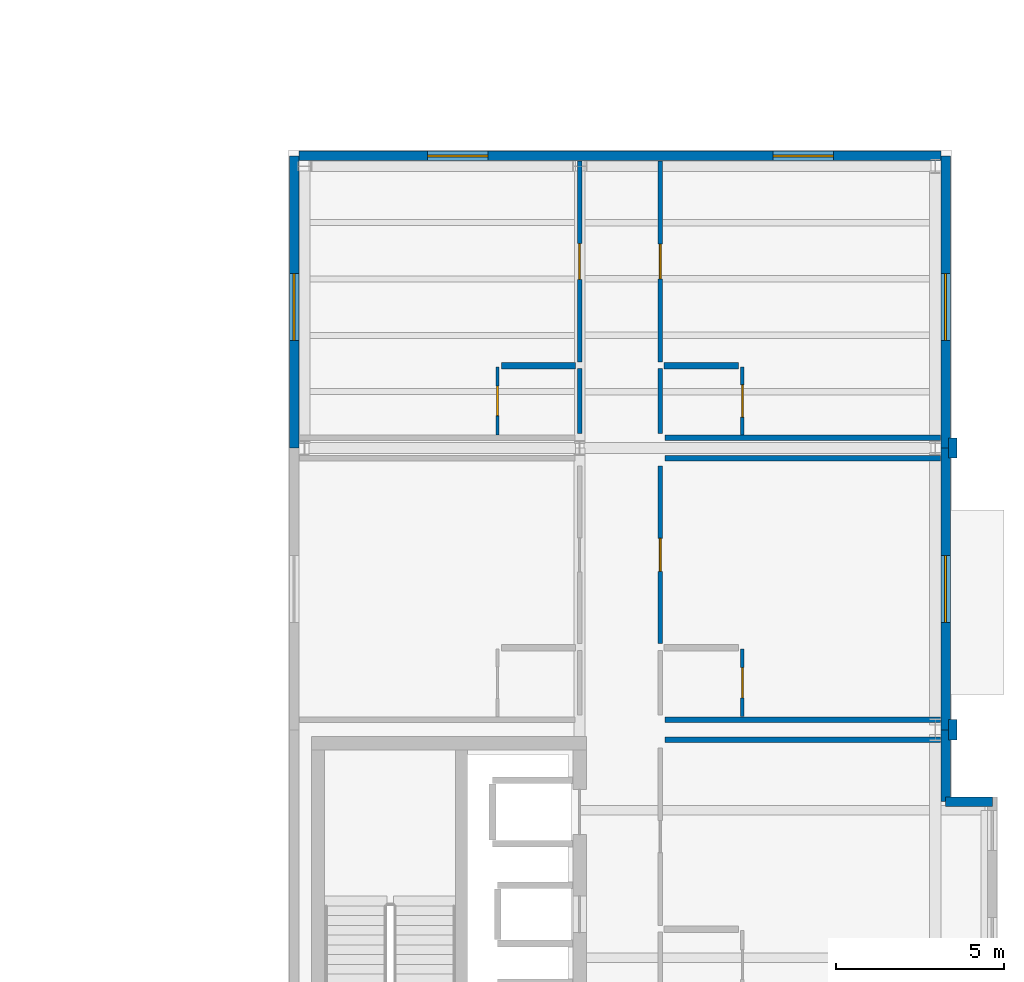
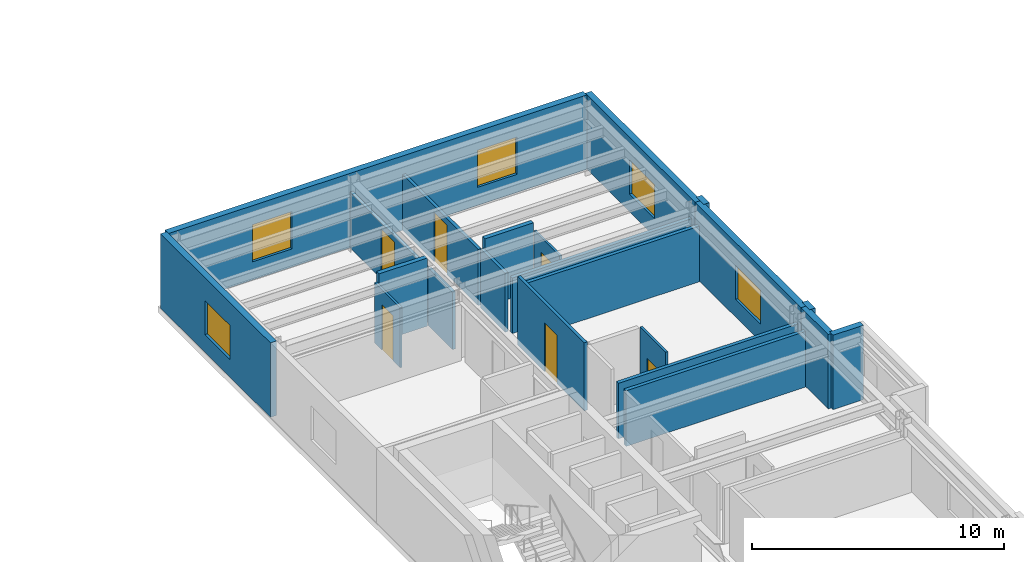
# One storey, part 26 of 34: 22 walls, 6 doors, 5 windows, 11 openings.
"""IFC4 building model written with IfcOpenShell, lengths in metres."""

from ifc_helpers import new_model, si_unit, direction, frame, frame_2d, origin, place, context, subcontext, project, spatial, rectangle, extrude, material, layer, layer_set, type_object, element, fill, save


model = new_model("IFC4")

# Units and contexts
model_context = context("Model", 3, precision=1e-05, world=origin(), true_north=direction((0.0, 1.0)))
body_context = subcontext(model_context, "Body", "Model", "MODEL_VIEW")
ifc_project = project(units=[si_unit("LENGTHUNIT", "METRE"), si_unit("AREAUNIT", "SQUARE_METRE"), si_unit("VOLUMEUNIT", "CUBIC_METRE"), si_unit("PLANEANGLEUNIT", "RADIAN"), si_unit("MASSUNIT", "GRAM", prefix="KILO")], contexts=[model_context])

# Site, building, storey
site_placement = place(None, origin())
site = spatial("IfcSite", under=ifc_project, at=site_placement, CompositionType="ELEMENT")
building_placement = place(site_placement, origin())
building = spatial("IfcBuilding", under=site, at=building_placement, Name="Sollismere Congress Hotel", CompositionType="ELEMENT")
storey_placement = place(building_placement, frame((0.0, 0.0, 23.39990234375)))
storey = spatial("IfcBuildingStorey", under=building, at=storey_placement, Name="L05", CompositionType="ELEMENT", Elevation=23.39990234375)

# Walls
ifc_material_1 = material(Name="Colorado Buff Sandstone Rainscreen on Insulated Backup", Category="masonry")
ifc_layer_1 = layer(ifc_material_1, 0.284912109375, Name="Colorado Buff Sandstone Rainscreen on Insulated Backup")
ifc_layer_set_1 = layer_set([ifc_layer_1], Name="Colorado Buff Sandstone Rainscreen on Insulated Backup")
wall_type_1 = type_object("IfcWallType", Name="WL-EXT285", PredefinedType="STANDARD", material=ifc_layer_set_1)
wall_1_placement = place(storey_placement, frame((166.31005859375, 47.860107421875, 0.0), z_axis=(0.0, 0.0, 1.0), x_axis=(0.0, 1.0, 0.0)))
element("IfcWall", 1, at=wall_1_placement, inside=storey, type_object=wall_type_1, Name="Exterior wall EW-L05-622", PredefinedType="STANDARD", context=body_context, shape_type="SweptSolid", body=[
    extrude(rectangle(XDim=2.139892578125, YDim=0.284912109375, at=frame_2d((1.06982421875, 0.0))), origin(), (0.0, 0.0, 1.0), 3.60009765625),
])
wall_2_placement = place(storey_placement, frame((167.699951171875, 47.860107421875, 0.0), z_axis=(0.0, 0.0, 1.0), x_axis=(-1.0, 0.0, 0.0)))
element("IfcWall", 2, at=wall_2_placement, inside=storey, type_object=wall_type_1, Name="Exterior wall EW-L05-625", PredefinedType="STANDARD", context=body_context, shape_type="SweptSolid", body=[
    extrude(rectangle(XDim=1.389892578125, YDim=0.284912109375, at=frame_2d((0.69482421875, 0.0))), origin(), (0.0, 0.0, 1.0), 3.60009765625),
])

# Wall, opening, window
wall_3_placement = place(storey_placement, frame((166.31005859375, 50.0, 0.0), z_axis=(0.0, 0.0, 1.0), x_axis=(0.0, 1.0, 0.0)))
wall_3 = element("IfcWall", 3, at=wall_3_placement, inside=storey, type_object=wall_type_1, Name="Exterior wall EW-L05-626", PredefinedType="STANDARD", context=body_context, shape_type="SweptSolid", body=[
    extrude(rectangle(XDim=8.39990234375, YDim=0.284912109375, at=frame_2d((4.199951171875, 0.0))), origin(), (0.0, 0.0, 1.0), 3.60009765625),
])
opening_1_placement = place(wall_3_placement, frame((3.199951171875, 0.0, 0.85009765625)))
opening_1 = element("IfcOpeningElement", 4, at=opening_1_placement, cuts=wall_3, Name="Opening W-L05-461", PredefinedType="OPENING", context=body_context, shape_type="SweptSolid", body=[
    extrude(rectangle(XDim=2.0, YDim=1.64990234375, at=frame_2d((1.0, 0.824951171875))), frame((0.0, 0.15234375, 0.0), z_axis=(0.0, -1.0, 0.0), x_axis=(1.0, 0.0, 0.0)), (0.0, 0.0, 1.0), 0.304931640625),
])
ifc_material_2 = material(Name="Thermally Broken Bronze Aluminum & Low-E Glass", Category="aluminium")
window_type_1 = type_object("IfcWindowType", Name="WN-P200x165", PartitioningType="SINGLE_PANEL", PredefinedType="WINDOW", material=ifc_material_2)
window_1_placement = place(opening_1_placement, origin())
window_1 = element("IfcWindow", 5, at=window_1_placement, inside=storey, type_object=window_type_1, Name="WIN-W-L05-461", OverallHeight=1.64990234375, OverallWidth=2.0, PartitioningType="SINGLE_PANEL", PredefinedType="WINDOW", context=body_context, shape_type="SweptSolid", body=[
    extrude(rectangle(XDim=2.0, YDim=1.64990234375, at=frame_2d((1.0, 0.824951171875))), frame((0.0, 0.030029296875, 0.0), z_axis=(0.0, -1.0, 0.0), x_axis=(1.0, 0.0, 0.0)), (0.0, 0.0, 1.0), 0.06005859375),
])
fill(opening_1, window_1)

wall_4_placement = place(storey_placement, frame((166.31005859375, 58.39990234375, 0.0), z_axis=(0.0, 0.0, 1.0), x_axis=(0.0, 1.0, 0.0)))
wall_4 = element("IfcWall", 6, at=wall_4_placement, inside=storey, type_object=wall_type_1, Name="Exterior wall EW-L05-628", PredefinedType="STANDARD", context=body_context, shape_type="SweptSolid", body=[
    extrude(rectangle(XDim=8.710205078125, YDim=0.284912109375, at=frame_2d((4.35498046875, 0.0))), origin(), (0.0, 0.0, 1.0), 3.60009765625),
])
opening_2_placement = place(wall_4_placement, frame((3.199951171875, 0.0, 0.85009765625)))
opening_2 = element("IfcOpeningElement", 7, at=opening_2_placement, cuts=wall_4, Name="Opening W-L05-462", PredefinedType="OPENING", context=body_context, shape_type="SweptSolid", body=[
    extrude(rectangle(XDim=2.0, YDim=1.64990234375, at=frame_2d((1.0, 0.824951171875))), frame((0.0, 0.15234375, 0.0), z_axis=(0.0, -1.0, 0.0), x_axis=(1.0, 0.0, 0.0)), (0.0, 0.0, 1.0), 0.304931640625),
])
window_2_placement = place(opening_2_placement, origin())
window_2 = element("IfcWindow", 8, at=window_2_placement, inside=storey, type_object=window_type_1, Name="WIN-W-L05-462", OverallHeight=1.64990234375, OverallWidth=2.0, PartitioningType="SINGLE_PANEL", PredefinedType="WINDOW", context=body_context, shape_type="SweptSolid", body=[
    extrude(rectangle(XDim=2.0, YDim=1.64990234375, at=frame_2d((1.0, 0.824951171875))), frame((0.0, 0.030029296875, 0.0), z_axis=(0.0, -1.0, 0.0), x_axis=(1.0, 0.0, 0.0)), (0.0, 0.0, 1.0), 0.06005859375),
])
fill(opening_2, window_2)

wall_5_placement = place(storey_placement, frame((146.889892578125, 58.39990234375, 0.0), z_axis=(0.0, 0.0, 1.0), x_axis=(0.0, 1.0, 0.0)))
wall_5 = element("IfcWall", 9, at=wall_5_placement, inside=storey, type_object=wall_type_1, Name="Exterior wall EW-L05-647", PredefinedType="STANDARD", context=body_context, shape_type="SweptSolid", body=[
    extrude(rectangle(XDim=8.710205078125, YDim=0.284912109375, at=frame_2d((4.35498046875, 0.0))), origin(), (0.0, 0.0, 1.0), 3.60009765625),
])
opening_3_placement = place(wall_5_placement, frame((3.199951171875, 0.0, 0.85009765625)))
opening_3 = element("IfcOpeningElement", 10, at=opening_3_placement, cuts=wall_5, Name="Opening W-L05-478", PredefinedType="OPENING", context=body_context, shape_type="SweptSolid", body=[
    extrude(rectangle(XDim=2.0, YDim=1.64990234375, at=frame_2d((1.0, 0.824951171875))), frame((0.0, 0.15234375, 0.0), z_axis=(0.0, -1.0, 0.0), x_axis=(1.0, 0.0, 0.0)), (0.0, 0.0, 1.0), 0.304931640625),
])
window_3_placement = place(opening_3_placement, origin())
window_3 = element("IfcWindow", 11, at=window_3_placement, inside=storey, type_object=window_type_1, Name="WIN-W-L05-478", OverallHeight=1.64990234375, OverallWidth=2.0, PartitioningType="SINGLE_PANEL", PredefinedType="WINDOW", context=body_context, shape_type="SweptSolid", body=[
    extrude(rectangle(XDim=2.0, YDim=1.64990234375, at=frame_2d((1.0, 0.824951171875))), frame((0.0, 0.030029296875, 0.0), z_axis=(0.0, -1.0, 0.0), x_axis=(1.0, 0.0, 0.0)), (0.0, 0.0, 1.0), 0.06005859375),
])
fill(opening_3, window_3)

# Wall, openings, windows
wall_6_placement = place(storey_placement, frame((166.16552734375, 67.110107421875, 0.0), z_axis=(0.0, 0.0, 1.0), x_axis=(-1.0, 0.0, 0.0)))
wall_6 = element("IfcWall", 12, at=wall_6_placement, inside=storey, type_object=wall_type_1, Name="Exterior wall EW-L05-650", PredefinedType="STANDARD", context=body_context, shape_type="SweptSolid", body=[
    extrude(rectangle(XDim=19.131103515625, YDim=0.284912109375, at=frame_2d((9.5654296875, 0.0))), origin(), (0.0, 0.0, 1.0), 3.60009765625),
])
opening_4_placement = place(wall_6_placement, frame((3.199951171875, 0.0, 0.8798828125)))
opening_4 = element("IfcOpeningElement", 13, at=opening_4_placement, cuts=wall_6, Name="Opening W-L05-481", PredefinedType="OPENING", context=body_context, shape_type="SweptSolid", body=[
    extrude(rectangle(XDim=1.800048828125, YDim=1.800048828125, at=frame_2d((0.89990234375, 0.89990234375))), frame((0.0, 0.15234375, 0.0), z_axis=(0.0, -1.0, 0.0), x_axis=(1.0, 0.0, 0.0)), (0.0, 0.0, 1.0), 0.304931640625),
])
opening_5_placement = place(wall_6_placement, frame((13.5, 0.0, 0.8798828125)))
opening_5 = element("IfcOpeningElement", 14, at=opening_5_placement, cuts=wall_6, Name="Opening W-L05-482", PredefinedType="OPENING", context=body_context, shape_type="SweptSolid", body=[
    extrude(rectangle(XDim=1.800048828125, YDim=1.800048828125, at=frame_2d((0.89990234375, 0.89990234375))), frame((0.0, 0.15234375, 0.0), z_axis=(0.0, -1.0, 0.0), x_axis=(1.0, 0.0, 0.0)), (0.0, 0.0, 1.0), 0.304931640625),
])
window_type_2 = type_object("IfcWindowType", Name="WN-P180x180", PartitioningType="SINGLE_PANEL", PredefinedType="WINDOW", material=ifc_material_2)
window_4_placement = place(opening_4_placement, origin())
window_4 = element("IfcWindow", 15, at=window_4_placement, inside=storey, type_object=window_type_2, Name="WIN-W-L05-481", OverallHeight=1.800048828125, OverallWidth=1.800048828125, PartitioningType="SINGLE_PANEL", PredefinedType="WINDOW", context=body_context, shape_type="SweptSolid", body=[
    extrude(rectangle(XDim=1.800048828125, YDim=1.800048828125, at=frame_2d((0.89990234375, 0.89990234375))), frame((0.0, 0.030029296875, 0.0), z_axis=(0.0, -1.0, 0.0), x_axis=(1.0, 0.0, 0.0)), (0.0, 0.0, 1.0), 0.06005859375),
])
fill(opening_4, window_4)
window_5_placement = place(opening_5_placement, origin())
window_5 = element("IfcWindow", 16, at=window_5_placement, inside=storey, type_object=window_type_2, Name="WIN-W-L05-482", OverallHeight=1.800048828125, OverallWidth=1.800048828125, PartitioningType="SINGLE_PANEL", PredefinedType="WINDOW", context=body_context, shape_type="SweptSolid", body=[
    extrude(rectangle(XDim=1.800048828125, YDim=1.800048828125, at=frame_2d((0.89990234375, 0.89990234375))), frame((0.0, 0.030029296875, 0.0), z_axis=(0.0, -1.0, 0.0), x_axis=(1.0, 0.0, 0.0)), (0.0, 0.0, 1.0), 0.06005859375),
])
fill(opening_5, window_5)

# Walls
ifc_material_3 = material(Name="Carved Travertine Pilaster & Frieze Assembly", Category="masonry")
ifc_layer_2 = layer(ifc_material_3, 0.260009765625, Name="Carved Travertine Pilaster & Frieze Assembly")
ifc_layer_set_2 = layer_set([ifc_layer_2], Name="Carved Travertine Pilaster & Frieze Assembly")
wall_type_2 = type_object("IfcWallType", Name="WL-PIL280", PredefinedType="ELEMENTEDWALL", material=ifc_layer_set_2)
wall_7_placement = place(storey_placement, frame((166.52001953125, 49.699951171875, 0.0), z_axis=(0.0, 0.0, 1.0), x_axis=(0.0, 1.0, 0.0)))
element("IfcWall", 17, at=wall_7_placement, inside=storey, type_object=wall_type_2, Name="Exterior wall EW-L05-627", PredefinedType="ELEMENTEDWALL", context=body_context, shape_type="SweptSolid", body=[
    extrude(rectangle(XDim=0.60009765625, YDim=0.260009765625, at=frame_2d((0.300048828125, 0.0))), origin(), (0.0, 0.0, 1.0), 3.60009765625),
])
wall_8_placement = place(storey_placement, frame((166.52001953125, 58.10009765625, 0.0), z_axis=(0.0, 0.0, 1.0), x_axis=(0.0, 1.0, 0.0)))
element("IfcWall", 18, at=wall_8_placement, inside=storey, type_object=wall_type_2, Name="Exterior wall EW-L05-629", PredefinedType="ELEMENTEDWALL", context=body_context, shape_type="SweptSolid", body=[
    extrude(rectangle(XDim=0.599853515625, YDim=0.260009765625, at=frame_2d((0.2998046875, 0.0))), origin(), (0.0, 0.0, 1.0), 3.60009765625),
])
ifc_material_4 = material(Name="Moisture-Resistant Shaft Gypsum Assembly")
ifc_layer_3 = layer(ifc_material_4, 0.199951171875, Name="Moisture-Resistant Shaft Gypsum Assembly")
ifc_layer_set_3 = layer_set([ifc_layer_3], Name="Moisture-Resistant Shaft Gypsum Assembly")
wall_type_3 = type_object("IfcWallType", Name="WL-PLM200", PredefinedType="PLUMBINGWALL", material=ifc_layer_set_3)
for number, where, z_axis, x_axis, name in (
    (19, (157.919921875, 60.85009765625, 0.0), (0.0, 0.0, 1.0), (1.0, 0.0, 0.0), "Interior wall IW-L05-1939"),
    (20, (153.070068359375, 60.85009765625, 0.0), (0.0, 0.0, 1.0), (1.0, 0.0, 0.0), "Interior wall IW-L05-1944"),
):
    element("IfcWall", number, at=place(storey_placement, frame(where, z_axis=z_axis, x_axis=x_axis)), inside=storey, type_object=wall_type_3, Name=name, PredefinedType="PLUMBINGWALL", context=body_context, shape_type="SweptSolid", body=[
        extrude(rectangle(XDim=2.2099609375, YDim=0.199951171875, at=frame_2d((1.10498046875, 0.0))), origin(), (0.0, 0.0, 1.0), 3.300048828125),
    ])

# Wall, opening, door
ifc_material_5 = material(Name="Moisture-Resistant Gypsum Partition")
ifc_layer_4 = layer(ifc_material_5, 0.10009765625, Name="Moisture-Resistant Gypsum Partition")
ifc_layer_set_4 = layer_set([ifc_layer_4], Name="Moisture-Resistant Gypsum Partition")
wall_type_4 = type_object("IfcWallType", Name="WL-PRT100", PredefinedType="PARTITIONING", material=ifc_layer_set_4)
wall_9_placement = place(storey_placement, frame((160.25, 50.39453125, 0.0), z_axis=(0.0, 0.0, 1.0), x_axis=(0.0, 1.0, 0.0)))
wall_9 = element("IfcWall", 21, at=wall_9_placement, inside=storey, type_object=wall_type_4, Name="Interior wall IW-L05-1929", PredefinedType="PARTITIONING", context=body_context, shape_type="SweptSolid", body=[
    extrude(rectangle(XDim=2.015380859375, YDim=0.10009765625, at=frame_2d((1.0078125, 0.0))), origin(), (0.0, 0.0, 1.0), 3.300048828125),
])
opening_6_placement = place(wall_9_placement, frame((0.554931640625, 0.0, 0.0)))
opening_6 = element("IfcOpeningElement", 22, at=opening_6_placement, cuts=wall_9, Name="Opening D-L05-0680", PredefinedType="OPENING", context=body_context, shape_type="SweptSolid", body=[
    extrude(rectangle(XDim=0.905029296875, YDim=2.10009765625, at=frame_2d((0.45263671875, 1.050048828125))), frame((0.0, 0.06005859375, 0.0), z_axis=(0.0, -1.0, 0.0), x_axis=(1.0, 0.0, 0.0)), (0.0, 0.0, 1.0), 0.1201171875),
])
ifc_material_6 = material(Name="Moisture-Sealed Timber Bathroom Door", Category="wood")
door_type_1 = type_object("IfcDoorType", Name="DR-BT02", OperationType="NOTDEFINED", PredefinedType="DOOR", material=ifc_material_6)
door_1_placement = place(opening_6_placement, origin())
door_1 = element("IfcDoor", 23, at=door_1_placement, inside=storey, type_object=door_type_1, Name="En-suite bathroom door D-L05-0680", OperationType="SINGLE_SWING_LEFT", OverallHeight=2.10009765625, OverallWidth=0.905029296875, PredefinedType="DOOR", context=body_context, shape_type="SweptSolid", body=[
    extrude(rectangle(XDim=0.905029296875, YDim=2.10009765625, at=frame_2d((0.45263671875, 1.050048828125))), frame((0.0, 0.02490234375, 0.0), z_axis=(0.0, -1.0, 0.0), x_axis=(1.0, 0.0, 0.0)), (0.0, 0.0, 1.0), 0.050048828125),
])
fill(opening_6, door_1)

wall_10_placement = place(storey_placement, frame((160.25, 58.79443359375, 0.0), z_axis=(0.0, 0.0, 1.0), x_axis=(0.0, 1.0, 0.0)))
wall_10 = element("IfcWall", 24, at=wall_10_placement, inside=storey, type_object=wall_type_4, Name="Interior wall IW-L05-1940", PredefinedType="PARTITIONING", context=body_context, shape_type="SweptSolid", body=[
    extrude(rectangle(XDim=2.015625, YDim=0.10009765625, at=frame_2d((1.0078125, 0.0))), origin(), (0.0, 0.0, 1.0), 2.858154296875),
])
opening_7_placement = place(wall_10_placement, frame((0.530029296875, 0.0, 0.0)))
opening_7 = element("IfcOpeningElement", 25, at=opening_7_placement, cuts=wall_10, Name="Opening D-L05-0684", PredefinedType="OPENING", context=body_context, shape_type="SweptSolid", body=[
    extrude(rectangle(XDim=0.955078125, YDim=2.139892578125, at=frame_2d((0.4775390625, 1.06982421875))), frame((0.0, 0.06005859375, 0.0), z_axis=(0.0, -1.0, 0.0), x_axis=(1.0, 0.0, 0.0)), (0.0, 0.0, 1.0), 0.1201171875),
])
door_type_2 = type_object("IfcDoorType", Name="DR-BT04", OperationType="NOTDEFINED", PredefinedType="DOOR", material=ifc_material_6)
door_2_placement = place(opening_7_placement, origin())
door_2 = element("IfcDoor", 26, at=door_2_placement, inside=storey, type_object=door_type_2, Name="En-suite bathroom door D-L05-0684", OperationType="SINGLE_SWING_LEFT", OverallHeight=2.139892578125, OverallWidth=0.955078125, PredefinedType="DOOR", context=body_context, shape_type="SweptSolid", body=[
    extrude(rectangle(XDim=0.955078125, YDim=2.139892578125, at=frame_2d((0.4775390625, 1.06982421875))), frame((0.0, 0.02490234375, 0.0), z_axis=(0.0, -1.0, 0.0), x_axis=(1.0, 0.0, 0.0)), (0.0, 0.0, 1.0), 0.050048828125),
])
fill(opening_7, door_2)

wall_11_placement = place(storey_placement, frame((152.949951171875, 58.79443359375, 0.0), z_axis=(0.0, 0.0, 1.0), x_axis=(0.0, 1.0, 0.0)))
wall_11 = element("IfcWall", 27, at=wall_11_placement, inside=storey, type_object=wall_type_4, Name="Interior wall IW-L05-1945", PredefinedType="PARTITIONING", context=body_context, shape_type="SweptSolid", body=[
    extrude(rectangle(XDim=2.015625, YDim=0.10009765625, at=frame_2d((1.0078125, 0.0))), origin(), (0.0, 0.0, 1.0), 2.908203125),
])
opening_8_placement = place(wall_11_placement, frame((0.568115234375, 0.0, 0.0)))
opening_8 = element("IfcOpeningElement", 28, at=opening_8_placement, cuts=wall_11, Name="Opening D-L05-0686", PredefinedType="OPENING", context=body_context, shape_type="SweptSolid", body=[
    extrude(rectangle(XDim=0.8798828125, YDim=2.179931640625, at=frame_2d((0.43994140625, 1.08984375))), frame((0.0, 0.06005859375, 0.0), z_axis=(0.0, -1.0, 0.0), x_axis=(1.0, 0.0, 0.0)), (0.0, 0.0, 1.0), 0.1201171875),
])
door_type_3 = type_object("IfcDoorType", Name="DR-BT05", OperationType="NOTDEFINED", PredefinedType="DOOR", material=ifc_material_6)
door_3_placement = place(opening_8_placement, origin())
door_3 = element("IfcDoor", 29, at=door_3_placement, inside=storey, type_object=door_type_3, Name="En-suite bathroom door D-L05-0686", OperationType="SINGLE_SWING_LEFT", OverallHeight=2.179931640625, OverallWidth=0.8798828125, PredefinedType="DOOR", context=body_context, shape_type="SweptSolid", body=[
    extrude(rectangle(XDim=0.8798828125, YDim=2.179931640625, at=frame_2d((0.43994140625, 1.08984375))), frame((0.0, 0.02490234375, 0.0), z_axis=(0.0, -1.0, 0.0), x_axis=(1.0, 0.0, 0.0)), (0.0, 0.0, 1.0), 0.050048828125),
])
fill(opening_8, door_3)

ifc_material_7 = material(Name="Fire-Rated Gypsum Partition")
ifc_layer_5 = layer(ifc_material_7, 0.139892578125, Name="Fire-Rated Gypsum Partition")
ifc_layer_set_5 = layer_set([ifc_layer_5], Name="Fire-Rated Gypsum Partition")
wall_type_5 = type_object("IfcWallType", Name="WL-PRT140R", PredefinedType="PARTITIONING", material=ifc_layer_set_5)
wall_12_placement = place(storey_placement, frame((157.800048828125, 52.570068359375, 0.0), z_axis=(0.0, 0.0, 1.0), x_axis=(0.0, 1.0, 0.0)))
wall_12 = element("IfcWall", 30, at=wall_12_placement, inside=storey, type_object=wall_type_5, Name="Interior wall IW-L05-1925", PredefinedType="PARTITIONING", context=body_context, shape_type="SweptSolid", body=[
    extrude(rectangle(XDim=5.2900390625, YDim=0.139892578125, at=frame_2d((2.64501953125, 0.0))), origin(), (0.0, 0.0, 1.0), 3.300048828125),
])
opening_9_placement = place(wall_12_placement, frame((2.155029296875, 0.0, 0.0)))
opening_9 = element("IfcOpeningElement", 31, at=opening_9_placement, cuts=wall_12, Name="Opening D-L05-0679", PredefinedType="OPENING", context=body_context, shape_type="SweptSolid", body=[
    extrude(rectangle(XDim=0.97998046875, YDim=2.35009765625, at=frame_2d((0.489990234375, 1.175048828125))), frame((0.0, 0.079833984375, 0.0), z_axis=(0.0, -1.0, 0.0), x_axis=(1.0, 0.0, 0.0)), (0.0, 0.0, 1.0), 0.159912109375),
])
ifc_material_8 = material(Name="Solid-Core Acoustic Walnut Guestroom Entry Door")
door_type_4 = type_object("IfcDoorType", Name="DR-KY09", OperationType="NOTDEFINED", PredefinedType="DOOR", material=ifc_material_8)
door_4_placement = place(opening_9_placement, origin())
door_4 = element("IfcDoor", 32, at=door_4_placement, inside=storey, type_object=door_type_4, Name="Hotel room entry door D-L05-0679", OperationType="SINGLE_SWING_RIGHT", OverallHeight=2.35009765625, OverallWidth=0.97998046875, PredefinedType="DOOR", context=body_context, shape_type="SweptSolid", body=[
    extrude(rectangle(XDim=0.97998046875, YDim=2.35009765625, at=frame_2d((0.489990234375, 1.175048828125))), frame((0.0, 0.02490234375, 0.0), z_axis=(0.0, -1.0, 0.0), x_axis=(1.0, 0.0, 0.0)), (0.0, 0.0, 1.0), 0.050048828125),
])
fill(opening_9, door_4)

# Wall
wall_13_placement = place(storey_placement, frame((157.800048828125, 58.840087890625, 0.0), z_axis=(0.0, 0.0, 1.0), x_axis=(0.0, 1.0, 0.0)))
element("IfcWall", 33, at=wall_13_placement, inside=storey, type_object=wall_type_5, Name="Interior wall IW-L05-1936", PredefinedType="PARTITIONING", context=body_context, shape_type="SweptSolid", body=[
    extrude(rectangle(XDim=1.929931640625, YDim=0.139892578125, at=frame_2d((0.96484375, 0.0))), origin(), (0.0, 0.0, 1.0), 2.858154296875),
])

# Wall, opening, door
wall_14_placement = place(storey_placement, frame((157.800048828125, 60.969970703125, 0.0), z_axis=(0.0, 0.0, 1.0), x_axis=(0.0, 1.0, 0.0)))
wall_14 = element("IfcWall", 34, at=wall_14_placement, inside=storey, type_object=wall_type_5, Name="Interior wall IW-L05-1937", PredefinedType="PARTITIONING", context=body_context, shape_type="SweptSolid", body=[
    extrude(rectangle(XDim=5.982421875, YDim=0.139892578125, at=frame_2d((2.9912109375, 0.0))), origin(), (0.0, 0.0, 1.0), 2.713134765625),
])
opening_10_placement = place(wall_14_placement, frame((2.470947265625, 0.0, 0.0)))
opening_10 = element("IfcOpeningElement", 35, at=opening_10_placement, cuts=wall_14, Name="Opening D-L05-0683", PredefinedType="OPENING", context=body_context, shape_type="SweptSolid", body=[
    extrude(rectangle(XDim=1.0400390625, YDim=2.39990234375, at=frame_2d((0.52001953125, 1.199951171875))), frame((0.0, 0.079833984375, 0.0), z_axis=(0.0, -1.0, 0.0), x_axis=(1.0, 0.0, 0.0)), (0.0, 0.0, 1.0), 0.159912109375),
])
door_type_5 = type_object("IfcDoorType", Name="DR-KY11", OperationType="NOTDEFINED", PredefinedType="DOOR", material=ifc_material_8)
door_5_placement = place(opening_10_placement, origin())
door_5 = element("IfcDoor", 36, at=door_5_placement, inside=storey, type_object=door_type_5, Name="Hotel room entry door D-L05-0683", OperationType="SINGLE_SWING_RIGHT", OverallHeight=2.39990234375, OverallWidth=1.0400390625, PredefinedType="DOOR", context=body_context, shape_type="SweptSolid", body=[
    extrude(rectangle(XDim=1.0400390625, YDim=2.39990234375, at=frame_2d((0.52001953125, 1.199951171875))), frame((0.0, 0.02490234375, 0.0), z_axis=(0.0, -1.0, 0.0), x_axis=(1.0, 0.0, 0.0)), (0.0, 0.0, 1.0), 0.050048828125),
])
fill(opening_10, door_5)

# Wall
wall_15_placement = place(storey_placement, frame((155.39990234375, 58.840087890625, 0.0), z_axis=(0.0, 0.0, 1.0), x_axis=(0.0, 1.0, 0.0)))
element("IfcWall", 37, at=wall_15_placement, inside=storey, type_object=wall_type_5, Name="Interior wall IW-L05-1941", PredefinedType="PARTITIONING", context=body_context, shape_type="SweptSolid", body=[
    extrude(rectangle(XDim=1.929931640625, YDim=0.139892578125, at=frame_2d((0.96484375, 0.0))), origin(), (0.0, 0.0, 1.0), 2.774169921875),
])

# Wall, opening, door
wall_16_placement = place(storey_placement, frame((155.39990234375, 60.969970703125, 0.0), z_axis=(0.0, 0.0, 1.0), x_axis=(0.0, 1.0, 0.0)))
wall_16 = element("IfcWall", 38, at=wall_16_placement, inside=storey, type_object=wall_type_5, Name="Interior wall IW-L05-1942", PredefinedType="PARTITIONING", context=body_context, shape_type="SweptSolid", body=[
    extrude(rectangle(XDim=5.982421875, YDim=0.139892578125, at=frame_2d((2.9912109375, 0.0))), origin(), (0.0, 0.0, 1.0), 2.713134765625),
])
opening_11_placement = place(wall_16_placement, frame((2.4560546875, 0.0, 0.0)))
opening_11 = element("IfcOpeningElement", 39, at=opening_11_placement, cuts=wall_16, Name="Opening D-L05-0685", PredefinedType="OPENING", context=body_context, shape_type="SweptSolid", body=[
    extrude(rectangle(XDim=1.070068359375, YDim=2.39990234375, at=frame_2d((0.53515625, 1.199951171875))), frame((0.0, 0.079833984375, 0.0), z_axis=(0.0, -1.0, 0.0), x_axis=(1.0, 0.0, 0.0)), (0.0, 0.0, 1.0), 0.159912109375),
])
door_type_6 = type_object("IfcDoorType", Name="DR-KY12", OperationType="NOTDEFINED", PredefinedType="DOOR", material=ifc_material_8)
door_6_placement = place(opening_11_placement, origin())
door_6 = element("IfcDoor", 40, at=door_6_placement, inside=storey, type_object=door_type_6, Name="Hotel room entry door D-L05-0685", OperationType="SINGLE_SWING_RIGHT", OverallHeight=2.39990234375, OverallWidth=1.070068359375, PredefinedType="DOOR", context=body_context, shape_type="SweptSolid", body=[
    extrude(rectangle(XDim=1.070068359375, YDim=2.39990234375, at=frame_2d((0.53515625, 1.199951171875))), frame((0.0, 0.02490234375, 0.0), z_axis=(0.0, -1.0, 0.0), x_axis=(1.0, 0.0, 0.0)), (0.0, 0.0, 1.0), 0.050048828125),
])
fill(opening_11, door_6)

# Walls
ifc_material_9 = material(Name="Fire-Rated Acoustic Gypsum Partition")
ifc_layer_6 = layer(ifc_material_9, 0.1650390625, Name="Fire-Rated Acoustic Gypsum Partition")
ifc_layer_set_6 = layer_set([ifc_layer_6], Name="Fire-Rated Acoustic Gypsum Partition")
wall_type_6 = type_object("IfcWallType", Name="WL-PRT165R", PredefinedType="PARTITIONING", material=ifc_layer_set_6)
for number, where, z_axis, x_axis, name in (
    (41, (157.93994140625, 49.699951171875, 0.0), (0.0, 0.0, 1.0), (1.0, 0.0, 0.0), "Interior wall IW-L05-1921"),
    (42, (157.93994140625, 50.300048828125, 0.0), (0.0, 0.0, 1.0), (1.0, 0.0, 0.0), "Interior wall IW-L05-1926"),
    (43, (157.93994140625, 58.10009765625, 0.0), (0.0, 0.0, 1.0), (1.0, 0.0, 0.0), "Interior wall IW-L05-1927"),
    (44, (157.93994140625, 58.699951171875, 0.0), (0.0, 0.0, 1.0), (1.0, 0.0, 0.0), "Interior wall IW-L05-1938"),
):
    element("IfcWall", number, at=place(storey_placement, frame(where, z_axis=z_axis, x_axis=x_axis)), inside=storey, type_object=wall_type_6, Name=name, PredefinedType="PARTITIONING", context=body_context, shape_type="SweptSolid", body=[
        extrude(rectangle(XDim=8.212646484375, YDim=0.1650390625, at=frame_2d((4.1064453125, 0.0))), origin(), (0.0, 0.0, 1.0), 2.690185546875),
    ])

save(model, "model.ifc")
